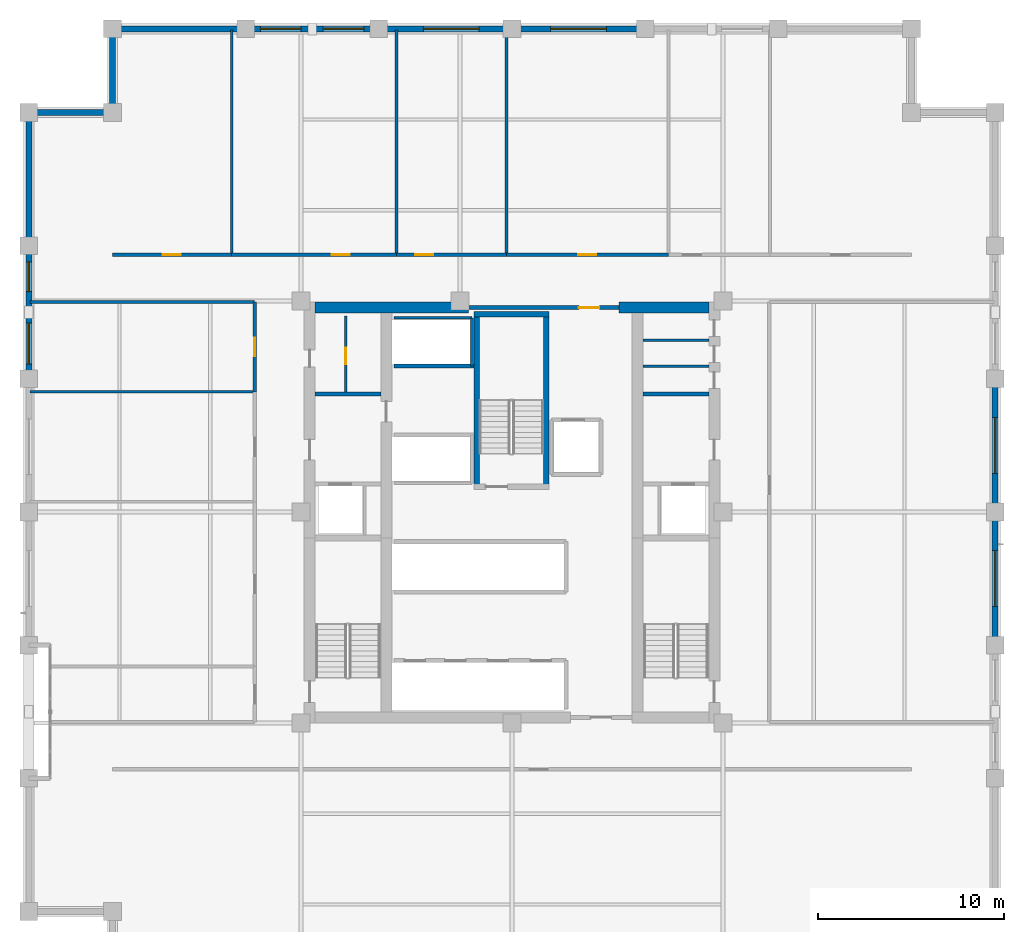
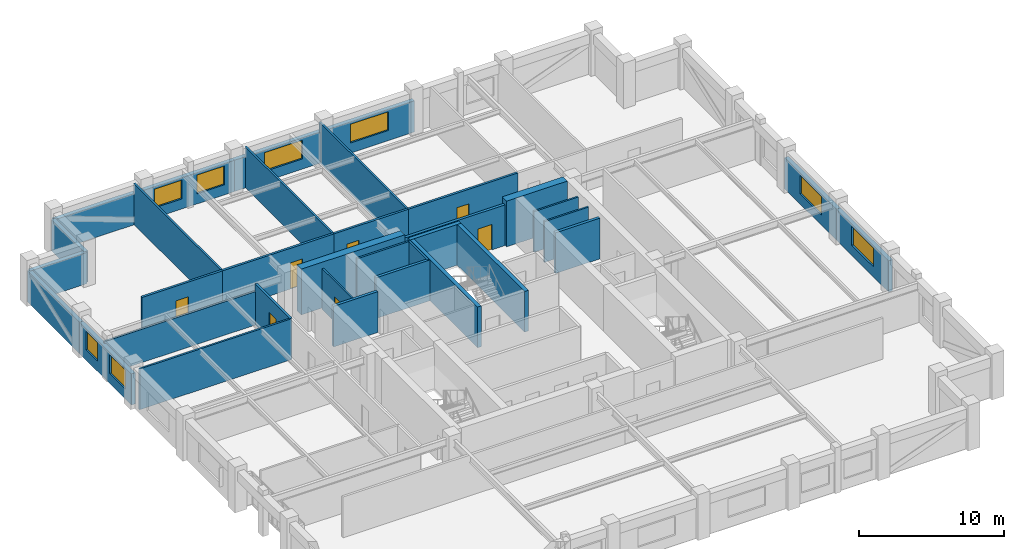
# One storey, part 11 of 14: 34 walls, 8 windows, 7 doors, 15 openings.
"""IFC4 building model written with IfcOpenShell, lengths in metres."""

from ifc_helpers import new_model, si_unit, direction, frame, frame_2d, origin, place, context, subcontext, project, spatial, rectangle, extrude, material, layer, layer_set, type_object, element, fill, save


model = new_model("IFC4")

# Units and contexts
model_context = context("Model", 3, precision=1e-05, world=origin(), true_north=direction((0.0, 1.0)))
body_context = subcontext(model_context, "Body", "Model", "MODEL_VIEW")
ifc_project = project(units=[si_unit("LENGTHUNIT", "METRE"), si_unit("AREAUNIT", "SQUARE_METRE"), si_unit("VOLUMEUNIT", "CUBIC_METRE"), si_unit("PLANEANGLEUNIT", "RADIAN"), si_unit("MASSUNIT", "GRAM", prefix="KILO")], contexts=[model_context])

# Site, building, storey
site_placement = place(None, origin())
site = spatial("IfcSite", under=ifc_project, at=site_placement, CompositionType="ELEMENT")
building_placement = place(site_placement, origin())
building = spatial("IfcBuilding", under=site, at=building_placement, Name="Nhamokura Convention Tower", CompositionType="ELEMENT")
storey_placement = place(building_placement, frame((0.0, 0.0, 172.199951171875)))
storey = spatial("IfcBuildingStorey", under=building, at=storey_placement, Name="L42", CompositionType="ELEMENT", Elevation=172.199951171875)

# Wall, opening, door
ifc_material_1 = material(Name="Moisture-resistant tile-backer partition", Category="masonry")
ifc_layer_1 = layer(ifc_material_1, 0.139892578125)
ifc_layer_set_1 = layer_set([ifc_layer_1], Name="BathroomWetWall_140")
wall_type_1 = type_object("IfcWallType", Name="BathroomWetWall_140", PredefinedType="STANDARD", material=ifc_layer_set_1)
wall_1_placement = place(storey_placement, frame((23.050048828125, 38.449951171875, 0.0), z_axis=(0.0, 0.0, 1.0), x_axis=(0.0, 1.0, 0.0)))
wall_1 = element("IfcWall", 1, at=wall_1_placement, inside=storey, type_object=wall_type_1, Name="L42 Wall INT-L42-CWNWV", PredefinedType="STANDARD", context=body_context, shape_type="SweptSolid", body=[
    extrude(rectangle(XDim=4.10009765625, YDim=0.139892578125, at=frame_2d((2.050048828125, 0.0))), origin(), (0.0, 0.0, 1.0), 3.429931640625),
])
opening_1_placement = place(wall_1_placement, frame((1.5, 0.0, 0.0)))
opening_1 = element("IfcOpeningElement", 2, at=opening_1_placement, cuts=wall_1, Name="Opening D-11", PredefinedType="OPENING", context=body_context, shape_type="SweptSolid", body=[
    extrude(rectangle(XDim=0.8798828125, YDim=2.10009765625, at=frame_2d((0.43994140625, 1.050048828125))), frame((0.0, 0.079833984375, 0.0), z_axis=(0.0, -1.0, 0.0), x_axis=(1.0, 0.0, 0.0)), (0.0, 0.0, 1.0), 0.159912109375),
])
ifc_material_2 = material(Name="Solid oak hardwood", Category="wood")
door_type_1 = type_object("IfcDoorType", Name="BathroomDoor_880", OperationType="NOTDEFINED", PredefinedType="DOOR", material=ifc_material_2)
door_1_placement = place(opening_1_placement, origin())
door_1 = element("IfcDoor", 3, at=door_1_placement, inside=storey, type_object=door_type_1, Name="L42 Inner Store Door", OperationType="SINGLE_SWING_LEFT", OverallHeight=2.10009765625, OverallWidth=0.8798828125, PredefinedType="DOOR", context=body_context, shape_type="SweptSolid", body=[
    extrude(rectangle(XDim=0.8798828125, YDim=2.10009765625, at=frame_2d((0.43994140625, 1.050048828125))), frame((0.0, 0.02490234375, 0.0), z_axis=(0.0, -1.0, 0.0), x_axis=(1.0, 0.0, 0.0)), (0.0, 0.0, 1.0), 0.050048828125),
])
fill(opening_1, door_1)

# Walls
for number, where, z_axis, x_axis, name in (
    (4, (39.06005859375, 39.85009765625, 0.0), (0.0, 0.0, 1.0), (1.0, 0.0, 0.0), "L42 Wall INT-L42-CWNE1"),
    (5, (39.06005859375, 41.25, 0.0), (0.0, 0.0, 1.0), (1.0, 0.0, 0.0), "L42 Wall INT-L42-CWNE2"),
):
    element("IfcWall", number, at=place(storey_placement, frame(where, z_axis=z_axis, x_axis=x_axis)), inside=storey, type_object=wall_type_1, Name=name, PredefinedType="STANDARD", context=body_context, shape_type="SweptSolid", body=[
        extrude(rectangle(XDim=3.530029296875, YDim=0.139892578125, at=frame_2d((1.76513671875, 0.0))), origin(), (0.0, 0.0, 1.0), 3.429931640625),
    ])
ifc_material_3 = material(Name="Bronze-pigmented precast concrete C45/55", Category="concrete")
ifc_layer_2 = layer(ifc_material_3, 0.320068359375)
ifc_layer_set_2 = layer_set([ifc_layer_2], Name="BronzePrecastSpandrel_320")
wall_type_2 = type_object("IfcWallType", Name="BronzePrecastSpandrel_320", PredefinedType="USERDEFINED", material=ifc_layer_set_2)
wall_2_placement = place(storey_placement, frame((10.5, 58.0, 0.0), z_axis=(0.0, 0.0, 1.0), x_axis=(1.0, 0.0, 0.0)))
element("IfcWall", 6, at=wall_2_placement, inside=storey, type_object=wall_type_2, Name="L42 Braced-Bay Precast Wall NORTH 0", ObjectType="SPANDREL_WALL", PredefinedType="USERDEFINED", context=body_context, shape_type="SweptSolid", body=[
    extrude(rectangle(XDim=7.166748046875, YDim=0.320068359375, at=frame_2d((3.58349609375, 0.0))), origin(), (0.0, 0.0, 1.0), 2.630126953125),
])

# Wall, openings, windows
wall_3_placement = place(storey_placement, frame((17.666748046875, 58.0, 0.0), z_axis=(0.0, 0.0, 1.0), x_axis=(1.0, 0.0, 0.0)))
wall_3 = element("IfcWall", 7, at=wall_3_placement, inside=storey, type_object=wall_type_2, Name="L42 Masonry-Frame Wall NORTH 1", ObjectType="SPANDREL_WALL", PredefinedType="USERDEFINED", context=body_context, shape_type="SweptSolid", body=[
    extrude(rectangle(XDim=7.16650390625, YDim=0.320068359375, at=frame_2d((3.583251953125, 0.0))), origin(), (0.0, 0.0, 1.0), 2.630126953125),
])
opening_2_placement = place(wall_3_placement, frame((0.791748046875, 0.0, 0.85009765625)))
opening_2 = element("IfcOpeningElement", 8, at=opening_2_placement, cuts=wall_3, Name="Opening W-06", PredefinedType="OPENING", context=body_context, shape_type="SweptSolid", body=[
    extrude(rectangle(XDim=2.199951171875, YDim=1.580078125, at=frame_2d((1.10009765625, 0.7900390625))), frame((0.0, 0.169921875, 0.0), z_axis=(0.0, -1.0, 0.0), x_axis=(1.0, 0.0, 0.0)), (0.0, 0.0, 1.0), 0.340087890625),
])
opening_3_placement = place(wall_3_placement, frame((4.175048828125, 0.0, 0.85009765625)))
opening_3 = element("IfcOpeningElement", 9, at=opening_3_placement, cuts=wall_3, Name="Opening W-06", PredefinedType="OPENING", context=body_context, shape_type="SweptSolid", body=[
    extrude(rectangle(XDim=2.199951171875, YDim=1.580078125, at=frame_2d((1.10009765625, 0.7900390625))), frame((0.0, 0.169921875, 0.0), z_axis=(0.0, -1.0, 0.0), x_axis=(1.0, 0.0, 0.0)), (0.0, 0.0, 1.0), 0.340087890625),
])
ifc_material_4 = material(Name="Solar-control bronze low-E double glass", Category="glass")
window_type_1 = type_object("IfcWindowType", Name="OfficeModuleWindow_Z2_2200", PartitioningType="SINGLE_PANEL", PredefinedType="WINDOW", material=ifc_material_4)
window_1_placement = place(opening_2_placement, origin())
window_1 = element("IfcWindow", 10, at=window_1_placement, inside=storey, type_object=window_type_1, Name="L42 Facade Window NORTH 1-1", OverallHeight=1.580078125, OverallWidth=2.199951171875, PartitioningType="SINGLE_PANEL", PredefinedType="WINDOW", context=body_context, shape_type="SweptSolid", body=[
    extrude(rectangle(XDim=2.199951171875, YDim=1.580078125, at=frame_2d((1.10009765625, 0.7900390625))), frame((0.0, 0.030029296875, 0.0), z_axis=(0.0, -1.0, 0.0), x_axis=(1.0, 0.0, 0.0)), (0.0, 0.0, 1.0), 0.06005859375),
])
fill(opening_2, window_1)
window_2_placement = place(opening_3_placement, origin())
window_2 = element("IfcWindow", 11, at=window_2_placement, inside=storey, type_object=window_type_1, Name="L42 Facade Window NORTH 1-2", OverallHeight=1.580078125, OverallWidth=2.199951171875, PartitioningType="SINGLE_PANEL", PredefinedType="WINDOW", context=body_context, shape_type="SweptSolid", body=[
    extrude(rectangle(XDim=2.199951171875, YDim=1.580078125, at=frame_2d((1.10009765625, 0.7900390625))), frame((0.0, 0.030029296875, 0.0), z_axis=(0.0, -1.0, 0.0), x_axis=(1.0, 0.0, 0.0)), (0.0, 0.0, 1.0), 0.06005859375),
])
fill(opening_3, window_2)

# Wall, opening, window
wall_4_placement = place(storey_placement, frame((24.833251953125, 58.0, 0.0), z_axis=(0.0, 0.0, 1.0), x_axis=(1.0, 0.0, 0.0)))
wall_4 = element("IfcWall", 12, at=wall_4_placement, inside=storey, type_object=wall_type_2, Name="L42 Masonry-Frame Wall NORTH 2", ObjectType="SPANDREL_WALL", PredefinedType="USERDEFINED", context=body_context, shape_type="SweptSolid", body=[
    extrude(rectangle(XDim=7.166748046875, YDim=0.320068359375, at=frame_2d((3.58349609375, 0.0))), origin(), (0.0, 0.0, 1.0), 2.630126953125),
])
opening_4_placement = place(wall_4_placement, frame((2.395751953125, 0.0, 0.85009765625)))
opening_4 = element("IfcOpeningElement", 13, at=opening_4_placement, cuts=wall_4, Name="Opening W-05", PredefinedType="OPENING", context=body_context, shape_type="SweptSolid", body=[
    extrude(rectangle(XDim=3.0, YDim=1.580078125, at=frame_2d((1.5, 0.7900390625))), frame((0.0, 0.169921875, 0.0), z_axis=(0.0, -1.0, 0.0), x_axis=(1.0, 0.0, 0.0)), (0.0, 0.0, 1.0), 0.340087890625),
])
ifc_material_5 = material(Name="Solar-control bronze low-E double glass", Category="glass")
window_type_2 = type_object("IfcWindowType", Name="OfficeModuleWindow_Z2_3000", PartitioningType="DOUBLE_PANEL_VERTICAL", PredefinedType="WINDOW", material=ifc_material_5)
window_3_placement = place(opening_4_placement, origin())
window_3 = element("IfcWindow", 14, at=window_3_placement, inside=storey, type_object=window_type_2, Name="L42 Facade Window NORTH 2", OverallHeight=1.580078125, OverallWidth=3.0, PartitioningType="SINGLE_PANEL", PredefinedType="WINDOW", context=body_context, shape_type="SweptSolid", body=[
    extrude(rectangle(XDim=3.0, YDim=1.580078125, at=frame_2d((1.5, 0.7900390625))), frame((0.0, 0.030029296875, 0.0), z_axis=(0.0, -1.0, 0.0), x_axis=(1.0, 0.0, 0.0)), (0.0, 0.0, 1.0), 0.06005859375),
])
fill(opening_4, window_3)

wall_5_placement = place(storey_placement, frame((32.0, 58.0, 0.0), z_axis=(0.0, 0.0, 1.0), x_axis=(1.0, 0.0, 0.0)))
wall_5 = element("IfcWall", 15, at=wall_5_placement, inside=storey, type_object=wall_type_2, Name="L42 Masonry-Frame Wall NORTH 3", ObjectType="SPANDREL_WALL", PredefinedType="USERDEFINED", context=body_context, shape_type="SweptSolid", body=[
    extrude(rectangle(XDim=7.166748046875, YDim=0.320068359375, at=frame_2d((3.58349609375, 0.0))), origin(), (0.0, 0.0, 1.0), 2.630126953125),
])
opening_5_placement = place(wall_5_placement, frame((2.083251953125, 0.0, 0.85009765625)))
opening_5 = element("IfcOpeningElement", 16, at=opening_5_placement, cuts=wall_5, Name="Opening W-05", PredefinedType="OPENING", context=body_context, shape_type="SweptSolid", body=[
    extrude(rectangle(XDim=3.0, YDim=1.580078125, at=frame_2d((1.5, 0.7900390625))), frame((0.0, 0.169921875, 0.0), z_axis=(0.0, -1.0, 0.0), x_axis=(1.0, 0.0, 0.0)), (0.0, 0.0, 1.0), 0.340087890625),
])
window_4_placement = place(opening_5_placement, origin())
window_4 = element("IfcWindow", 17, at=window_4_placement, inside=storey, type_object=window_type_2, Name="L42 Facade Window NORTH 3", OverallHeight=1.580078125, OverallWidth=3.0, PartitioningType="SINGLE_PANEL", PredefinedType="WINDOW", context=body_context, shape_type="SweptSolid", body=[
    extrude(rectangle(XDim=3.0, YDim=1.580078125, at=frame_2d((1.5, 0.7900390625))), frame((0.0, 0.030029296875, 0.0), z_axis=(0.0, -1.0, 0.0), x_axis=(1.0, 0.0, 0.0)), (0.0, 0.0, 1.0), 0.06005859375),
])
fill(opening_5, window_4)

# Wall, openings, windows
wall_6_placement = place(storey_placement, frame((6.0, 39.166748046875, 0.0), z_axis=(0.0, 0.0, 1.0), x_axis=(0.0, 1.0, 0.0)))
wall_6 = element("IfcWall", 18, at=wall_6_placement, inside=storey, type_object=wall_type_2, Name="L42 Masonry-Frame Wall WEST 4", ObjectType="SPANDREL_WALL", PredefinedType="USERDEFINED", context=body_context, shape_type="SweptSolid", body=[
    extrude(rectangle(XDim=7.16650390625, YDim=0.320068359375, at=frame_2d((3.583251953125, 0.0))), origin(), (0.0, 0.0, 1.0), 2.630126953125),
])
opening_6_placement = place(wall_6_placement, frame((0.791748046875, 0.0, 0.85009765625)))
opening_6 = element("IfcOpeningElement", 19, at=opening_6_placement, cuts=wall_6, Name="Opening W-06", PredefinedType="OPENING", context=body_context, shape_type="SweptSolid", body=[
    extrude(rectangle(XDim=2.199951171875, YDim=1.580078125, at=frame_2d((1.10009765625, 0.7900390625))), frame((0.0, 0.169921875, 0.0), z_axis=(0.0, -1.0, 0.0), x_axis=(1.0, 0.0, 0.0)), (0.0, 0.0, 1.0), 0.340087890625),
])
opening_7_placement = place(wall_6_placement, frame((4.6875, 0.0, 0.85009765625)))
opening_7 = element("IfcOpeningElement", 20, at=opening_7_placement, cuts=wall_6, Name="Opening W-11", PredefinedType="OPENING", context=body_context, shape_type="SweptSolid", body=[
    extrude(rectangle(XDim=1.60009765625, YDim=1.580078125, at=frame_2d((0.800048828125, 0.7900390625))), frame((0.0, 0.169921875, 0.0), z_axis=(0.0, -1.0, 0.0), x_axis=(1.0, 0.0, 0.0)), (0.0, 0.0, 1.0), 0.340087890625),
])
ifc_material_6 = material(Name="Solar-control bronze low-E double glass", Category="glass")
window_type_3 = type_object("IfcWindowType", Name="NotchCornerWindow_1600", PartitioningType="SINGLE_PANEL", PredefinedType="WINDOW", material=ifc_material_6)
window_5_placement = place(opening_7_placement, origin())
window_5 = element("IfcWindow", 21, at=window_5_placement, inside=storey, type_object=window_type_3, Name="L42 Facade Window WEST 4-2", OverallHeight=1.580078125, OverallWidth=1.60009765625, PartitioningType="SINGLE_PANEL", PredefinedType="WINDOW", context=body_context, shape_type="SweptSolid", body=[
    extrude(rectangle(XDim=1.60009765625, YDim=1.580078125, at=frame_2d((0.800048828125, 0.7900390625))), frame((0.0, 0.030029296875, 0.0), z_axis=(0.0, -1.0, 0.0), x_axis=(1.0, 0.0, 0.0)), (0.0, 0.0, 1.0), 0.06005859375),
])
fill(opening_7, window_5)
window_6_placement = place(opening_6_placement, origin())
window_6 = element("IfcWindow", 22, at=window_6_placement, inside=storey, type_object=window_type_1, Name="L42 Facade Window WEST 4-1", OverallHeight=1.580078125, OverallWidth=2.199951171875, PartitioningType="SINGLE_PANEL", PredefinedType="WINDOW", context=body_context, shape_type="SweptSolid", body=[
    extrude(rectangle(XDim=2.199951171875, YDim=1.580078125, at=frame_2d((1.10009765625, 0.7900390625))), frame((0.0, 0.030029296875, 0.0), z_axis=(0.0, -1.0, 0.0), x_axis=(1.0, 0.0, 0.0)), (0.0, 0.0, 1.0), 0.06005859375),
])
fill(opening_6, window_6)

# Wall
wall_7_placement = place(storey_placement, frame((6.0, 46.333251953125, 0.0), z_axis=(0.0, 0.0, 1.0), x_axis=(0.0, 1.0, 0.0)))
element("IfcWall", 23, at=wall_7_placement, inside=storey, type_object=wall_type_2, Name="L42 Braced-Bay Precast Wall WEST 5", ObjectType="SPANDREL_WALL", PredefinedType="USERDEFINED", context=body_context, shape_type="SweptSolid", body=[
    extrude(rectangle(XDim=7.166748046875, YDim=0.320068359375, at=frame_2d((3.58349609375, 0.0))), origin(), (0.0, 0.0, 1.0), 2.630126953125),
])

# Wall, opening, window
wall_8_placement = place(storey_placement, frame((58.0, 32.0, 0.0), z_axis=(0.0, 0.0, 1.0), x_axis=(0.0, -1.0, 0.0)))
wall_8 = element("IfcWall", 24, at=wall_8_placement, inside=storey, type_object=wall_type_2, Name="L42 Masonry-Frame Wall EAST 2", ObjectType="SPANDREL_WALL", PredefinedType="USERDEFINED", context=body_context, shape_type="SweptSolid", body=[
    extrude(rectangle(XDim=7.166748046875, YDim=0.320068359375, at=frame_2d((3.58349609375, 0.0))), origin(), (0.0, 0.0, 1.0), 2.630126953125),
])
opening_8_placement = place(wall_8_placement, frame((2.083251953125, 0.0, 0.85009765625)))
opening_8 = element("IfcOpeningElement", 25, at=opening_8_placement, cuts=wall_8, Name="Opening W-05", PredefinedType="OPENING", context=body_context, shape_type="SweptSolid", body=[
    extrude(rectangle(XDim=3.0, YDim=1.580078125, at=frame_2d((1.5, 0.7900390625))), frame((0.0, 0.169921875, 0.0), z_axis=(0.0, -1.0, 0.0), x_axis=(1.0, 0.0, 0.0)), (0.0, 0.0, 1.0), 0.340087890625),
])
window_7_placement = place(opening_8_placement, origin())
window_7 = element("IfcWindow", 26, at=window_7_placement, inside=storey, type_object=window_type_2, Name="L42 Facade Window EAST 2", OverallHeight=1.580078125, OverallWidth=3.0, PartitioningType="SINGLE_PANEL", PredefinedType="WINDOW", context=body_context, shape_type="SweptSolid", body=[
    extrude(rectangle(XDim=3.0, YDim=1.580078125, at=frame_2d((1.5, 0.7900390625))), frame((0.0, 0.030029296875, 0.0), z_axis=(0.0, -1.0, 0.0), x_axis=(1.0, 0.0, 0.0)), (0.0, 0.0, 1.0), 0.06005859375),
])
fill(opening_8, window_7)

wall_9_placement = place(storey_placement, frame((58.0, 39.166748046875, 0.0), z_axis=(0.0, 0.0, 1.0), x_axis=(0.0, -1.0, 0.0)))
wall_9 = element("IfcWall", 27, at=wall_9_placement, inside=storey, type_object=wall_type_2, Name="L42 Masonry-Frame Wall EAST 3", ObjectType="SPANDREL_WALL", PredefinedType="USERDEFINED", context=body_context, shape_type="SweptSolid", body=[
    extrude(rectangle(XDim=7.166748046875, YDim=0.320068359375, at=frame_2d((3.58349609375, 0.0))), origin(), (0.0, 0.0, 1.0), 2.630126953125),
])
opening_9_placement = place(wall_9_placement, frame((2.083251953125, 0.0, 0.85009765625)))
opening_9 = element("IfcOpeningElement", 28, at=opening_9_placement, cuts=wall_9, Name="Opening W-05", PredefinedType="OPENING", context=body_context, shape_type="SweptSolid", body=[
    extrude(rectangle(XDim=3.0, YDim=1.580078125, at=frame_2d((1.5, 0.7900390625))), frame((0.0, 0.169921875, 0.0), z_axis=(0.0, -1.0, 0.0), x_axis=(1.0, 0.0, 0.0)), (0.0, 0.0, 1.0), 0.340087890625),
])
window_8_placement = place(opening_9_placement, origin())
window_8 = element("IfcWindow", 29, at=window_8_placement, inside=storey, type_object=window_type_2, Name="L42 Facade Window EAST 3", OverallHeight=1.580078125, OverallWidth=3.0, PartitioningType="SINGLE_PANEL", PredefinedType="WINDOW", context=body_context, shape_type="SweptSolid", body=[
    extrude(rectangle(XDim=3.0, YDim=1.580078125, at=frame_2d((1.5, 0.7900390625))), frame((0.0, 0.030029296875, 0.0), z_axis=(0.0, -1.0, 0.0), x_axis=(1.0, 0.0, 0.0)), (0.0, 0.0, 1.0), 0.06005859375),
])
fill(opening_9, window_8)

# Walls
for number, where, z_axis, x_axis, name in (
    (30, (10.5, 53.5, 0.0), (0.0, 0.0, 1.0), (0.0, 1.0, 0.0), "L42 Notched Corner Wall NW1"),
    (31, (6.0, 53.5, 0.0), (0.0, 0.0, 1.0), (1.0, 0.0, 0.0), "L42 Notched Corner Wall NW2"),
):
    element("IfcWall", number, at=place(storey_placement, frame(where, z_axis=z_axis, x_axis=x_axis)), inside=storey, type_object=wall_type_2, Name=name, ObjectType="SPANDREL_WALL", PredefinedType="USERDEFINED", context=body_context, shape_type="SweptSolid", body=[
        extrude(rectangle(XDim=4.5, YDim=0.320068359375, at=frame_2d((2.25, 0.0))), origin(), (0.0, 0.0, 1.0), 2.630126953125),
    ])
ifc_material_7 = material(Name="Concrete C60/75", Category="concrete")
ifc_layer_3 = layer(ifc_material_7, 0.60009765625)
ifc_layer_set_3 = layer_set([ifc_layer_3], Name="CoreShearWall_600")
wall_type_3 = type_object("IfcWallType", Name="CoreShearWall_600", PredefinedType="SHEAR", material=ifc_layer_set_3)
wall_10_placement = place(storey_placement, frame((21.409912109375, 43.0, 0.0), z_axis=(0.0, 0.0, 1.0), x_axis=(1.0, 0.0, 0.0)))
element("IfcWall", 32, at=wall_10_placement, inside=storey, type_object=wall_type_3, Name="L42 Core Shear Wall CW-N1", PredefinedType="SHEAR", context=body_context, shape_type="SweptSolid", body=[
    extrude(rectangle(XDim=8.239990234375, YDim=0.60009765625, at=frame_2d((4.1201171875, 0.0))), origin(), (0.0, 0.0, 1.0), 3.85009765625),
])
wall_11_placement = place(storey_placement, frame((37.75, 43.0, 0.0), z_axis=(0.0, 0.0, 1.0), x_axis=(1.0, 0.0, 0.0)))
element("IfcWall", 33, at=wall_11_placement, inside=storey, type_object=wall_type_3, Name="L42 Core Shear Wall CW-N2", PredefinedType="SHEAR", context=body_context, shape_type="SweptSolid", body=[
    extrude(rectangle(XDim=4.840087890625, YDim=0.60009765625, at=frame_2d((2.419921875, 0.0))), origin(), (0.0, 0.0, 1.0), 3.85009765625),
])

# Wall, opening, door
ifc_material_8 = material(Name="Fire-rated gypsum and masonry partition", Category="masonry")
ifc_layer_4 = layer(ifc_material_8, 0.179931640625)
ifc_layer_set_4 = layer_set([ifc_layer_4], Name="CorridorRatedWall_180")
wall_type_4 = type_object("IfcWallType", Name="CorridorRatedWall_180", PredefinedType="STANDARD", material=ifc_layer_set_4)
wall_12_placement = place(storey_placement, frame((10.5, 45.85009765625, 0.0), z_axis=(0.0, 0.0, 1.0), x_axis=(1.0, 0.0, 0.0)))
wall_12 = element("IfcWall", 34, at=wall_12_placement, inside=storey, type_object=wall_type_4, Name="L42 Wall INT-L42-CW-N00", PredefinedType="STANDARD", context=body_context, shape_type="SweptSolid", body=[
    extrude(rectangle(XDim=6.416748046875, YDim=0.179931640625, at=frame_2d((3.20849609375, 0.0))), origin(), (0.0, 0.0, 1.0), 3.429931640625),
])
opening_10_placement = place(wall_12_placement, frame((2.708251953125, 0.0, 0.0)))
opening_10 = element("IfcOpeningElement", 35, at=opening_10_placement, cuts=wall_12, Name="Opening D-08", PredefinedType="OPENING", context=body_context, shape_type="SweptSolid", body=[
    extrude(rectangle(XDim=0.97998046875, YDim=2.199951171875, at=frame_2d((0.489990234375, 1.10009765625))), frame((0.0, 0.099853515625, 0.0), z_axis=(0.0, -1.0, 0.0), x_axis=(1.0, 0.0, 0.0)), (0.0, 0.0, 1.0), 0.199951171875),
])
ifc_material_9 = material(Name="Solid oak hardwood", Category="wood")
door_type_2 = type_object("IfcDoorType", Name="OfficeEntryDoor_980", OperationType="NOTDEFINED", PredefinedType="DOOR", material=ifc_material_9)
door_2_placement = place(opening_10_placement, origin())
door_2 = element("IfcDoor", 36, at=door_2_placement, inside=storey, type_object=door_type_2, Name="L42 Meeting Room N01 Door", OperationType="SINGLE_SWING_LEFT", OverallHeight=2.199951171875, OverallWidth=0.97998046875, PredefinedType="DOOR", context=body_context, shape_type="SweptSolid", body=[
    extrude(rectangle(XDim=0.97998046875, YDim=2.199951171875, at=frame_2d((0.489990234375, 1.10009765625))), frame((0.0, 0.02490234375, 0.0), z_axis=(0.0, -1.0, 0.0), x_axis=(1.0, 0.0, 0.0)), (0.0, 0.0, 1.0), 0.050048828125),
])
fill(opening_10, door_2)

wall_13_placement = place(storey_placement, frame((16.916748046875, 45.85009765625, 0.0), z_axis=(0.0, 0.0, 1.0), x_axis=(1.0, 0.0, 0.0)))
wall_13 = element("IfcWall", 37, at=wall_13_placement, inside=storey, type_object=wall_type_4, Name="L42 Wall INT-L42-CW-N01", PredefinedType="STANDARD", context=body_context, shape_type="SweptSolid", body=[
    extrude(rectangle(XDim=8.866455078125, YDim=0.179931640625, at=frame_2d((4.43310546875, 0.0))), origin(), (0.0, 0.0, 1.0), 3.429931640625),
])
opening_11_placement = place(wall_13_placement, frame((5.38330078125, 0.0, 0.0)))
opening_11 = element("IfcOpeningElement", 38, at=opening_11_placement, cuts=wall_13, Name="Opening D-08", PredefinedType="OPENING", context=body_context, shape_type="SweptSolid", body=[
    extrude(rectangle(XDim=0.97998046875, YDim=2.199951171875, at=frame_2d((0.489990234375, 1.10009765625))), frame((0.0, 0.099853515625, 0.0), z_axis=(0.0, -1.0, 0.0), x_axis=(1.0, 0.0, 0.0)), (0.0, 0.0, 1.0), 0.199951171875),
])
door_3_placement = place(opening_11_placement, origin())
door_3 = element("IfcDoor", 39, at=door_3_placement, inside=storey, type_object=door_type_2, Name="L42 Meeting Room N02 Door", OperationType="SINGLE_SWING_RIGHT", OverallHeight=2.199951171875, OverallWidth=0.97998046875, PredefinedType="DOOR", context=body_context, shape_type="SweptSolid", body=[
    extrude(rectangle(XDim=0.97998046875, YDim=2.199951171875, at=frame_2d((0.489990234375, 1.10009765625))), frame((0.0, 0.02490234375, 0.0), z_axis=(0.0, -1.0, 0.0), x_axis=(1.0, 0.0, 0.0)), (0.0, 0.0, 1.0), 0.050048828125),
])
fill(opening_11, door_3)

wall_14_placement = place(storey_placement, frame((25.783203125, 45.85009765625, 0.0), z_axis=(0.0, 0.0, 1.0), x_axis=(1.0, 0.0, 0.0)))
wall_14 = element("IfcWall", 40, at=wall_14_placement, inside=storey, type_object=wall_type_4, Name="L42 Wall INT-L42-CW-N02", PredefinedType="STANDARD", context=body_context, shape_type="SweptSolid", body=[
    extrude(rectangle(XDim=5.916748046875, YDim=0.179931640625, at=frame_2d((2.95849609375, 0.0))), origin(), (0.0, 0.0, 1.0), 3.429931640625),
])
opening_12_placement = place(wall_14_placement, frame((1.00830078125, 0.0, 0.0)))
opening_12 = element("IfcOpeningElement", 41, at=opening_12_placement, cuts=wall_14, Name="Opening D-08", PredefinedType="OPENING", context=body_context, shape_type="SweptSolid", body=[
    extrude(rectangle(XDim=0.97998046875, YDim=2.199951171875, at=frame_2d((0.489990234375, 1.10009765625))), frame((0.0, 0.099853515625, 0.0), z_axis=(0.0, -1.0, 0.0), x_axis=(1.0, 0.0, 0.0)), (0.0, 0.0, 1.0), 0.199951171875),
])
door_4_placement = place(opening_12_placement, origin())
door_4 = element("IfcDoor", 42, at=door_4_placement, inside=storey, type_object=door_type_2, Name="L42 Meeting Room N03 Door", OperationType="SINGLE_SWING_LEFT", OverallHeight=2.199951171875, OverallWidth=0.97998046875, PredefinedType="DOOR", context=body_context, shape_type="SweptSolid", body=[
    extrude(rectangle(XDim=0.97998046875, YDim=2.199951171875, at=frame_2d((0.489990234375, 1.10009765625))), frame((0.0, 0.02490234375, 0.0), z_axis=(0.0, -1.0, 0.0), x_axis=(1.0, 0.0, 0.0)), (0.0, 0.0, 1.0), 0.050048828125),
])
fill(opening_12, door_4)

wall_15_placement = place(storey_placement, frame((31.699951171875, 45.85009765625, 0.0), z_axis=(0.0, 0.0, 1.0), x_axis=(1.0, 0.0, 0.0)))
wall_15 = element("IfcWall", 43, at=wall_15_placement, inside=storey, type_object=wall_type_4, Name="L42 Wall INT-L42-CW-N03", PredefinedType="STANDARD", context=body_context, shape_type="SweptSolid", body=[
    extrude(rectangle(XDim=8.716796875, YDim=0.179931640625, at=frame_2d((4.3583984375, 0.0))), origin(), (0.0, 0.0, 1.0), 3.429931640625),
])
opening_13_placement = place(wall_15_placement, frame((3.8583984375, 0.0, 0.0)))
opening_13 = element("IfcOpeningElement", 44, at=opening_13_placement, cuts=wall_15, Name="Opening D-08", PredefinedType="OPENING", context=body_context, shape_type="SweptSolid", body=[
    extrude(rectangle(XDim=0.97998046875, YDim=2.199951171875, at=frame_2d((0.489990234375, 1.10009765625))), frame((0.0, 0.099853515625, 0.0), z_axis=(0.0, -1.0, 0.0), x_axis=(1.0, 0.0, 0.0)), (0.0, 0.0, 1.0), 0.199951171875),
])
door_5_placement = place(opening_13_placement, origin())
door_5 = element("IfcDoor", 45, at=door_5_placement, inside=storey, type_object=door_type_2, Name="L42 Meeting Room N04 Door", OperationType="SINGLE_SWING_RIGHT", OverallHeight=2.199951171875, OverallWidth=0.97998046875, PredefinedType="DOOR", context=body_context, shape_type="SweptSolid", body=[
    extrude(rectangle(XDim=0.97998046875, YDim=2.199951171875, at=frame_2d((0.489990234375, 1.10009765625))), frame((0.0, 0.02490234375, 0.0), z_axis=(0.0, -1.0, 0.0), x_axis=(1.0, 0.0, 0.0)), (0.0, 0.0, 1.0), 0.050048828125),
])
fill(opening_13, door_5)

wall_16_placement = place(storey_placement, frame((18.14990234375, 38.466796875, 0.0), z_axis=(0.0, 0.0, 1.0), x_axis=(0.0, 1.0, 0.0)))
wall_16 = element("IfcWall", 46, at=wall_16_placement, inside=storey, type_object=wall_type_4, Name="L42 Wall INT-L42-CW-W03", PredefinedType="STANDARD", context=body_context, shape_type="SweptSolid", body=[
    extrude(rectangle(XDim=4.833251953125, YDim=0.179931640625, at=frame_2d((2.41650390625, 0.0))), origin(), (0.0, 0.0, 1.0), 3.429931640625),
])
opening_14_placement = place(wall_16_placement, frame((1.91650390625, 0.0, 0.0)))
opening_14 = element("IfcOpeningElement", 47, at=opening_14_placement, cuts=wall_16, Name="Opening D-08", PredefinedType="OPENING", context=body_context, shape_type="SweptSolid", body=[
    extrude(rectangle(XDim=0.97998046875, YDim=2.199951171875, at=frame_2d((0.489990234375, 1.10009765625))), frame((0.0, 0.099853515625, 0.0), z_axis=(0.0, -1.0, 0.0), x_axis=(1.0, 0.0, 0.0)), (0.0, 0.0, 1.0), 0.199951171875),
])
door_6_placement = place(opening_14_placement, origin())
door_6 = element("IfcDoor", 48, at=door_6_placement, inside=storey, type_object=door_type_2, Name="L42 Private Office W04 Door", OperationType="SINGLE_SWING_RIGHT", OverallHeight=2.199951171875, OverallWidth=0.97998046875, PredefinedType="DOOR", context=body_context, shape_type="SweptSolid", body=[
    extrude(rectangle(XDim=0.97998046875, YDim=2.199951171875, at=frame_2d((0.489990234375, 1.10009765625))), frame((0.0, 0.02490234375, 0.0), z_axis=(0.0, -1.0, 0.0), x_axis=(1.0, 0.0, 0.0)), (0.0, 0.0, 1.0), 0.050048828125),
])
fill(opening_14, door_6)

# Walls
ifc_material_10 = material(Name="Autoclaved concrete blockwork", Category="masonry")
ifc_layer_5 = layer(ifc_material_10, 0.219970703125)
ifc_layer_set_5 = layer_set([ifc_layer_5], Name="FireLobbyWall_220")
wall_type_5 = type_object("IfcWallType", Name="FireLobbyWall_220", PredefinedType="STANDARD", material=ifc_layer_set_5)
for number, where, z_axis, x_axis, name in (
    (49, (21.409912109375, 38.35009765625, 0.0), (0.0, 0.0, 1.0), (1.0, 0.0, 0.0), "L42 Wall INT-L42-FFW-N"),
    (50, (39.06005859375, 38.35009765625, 0.0), (0.0, 0.0, 1.0), (1.0, 0.0, 0.0), "L42 Wall INT-L42-FFE-N"),
):
    element("IfcWall", number, at=place(storey_placement, frame(where, z_axis=z_axis, x_axis=x_axis)), inside=storey, type_object=wall_type_5, Name=name, PredefinedType="STANDARD", context=body_context, shape_type="SweptSolid", body=[
        extrude(rectangle(XDim=3.530029296875, YDim=0.219970703125, at=frame_2d((1.76513671875, 0.0))), origin(), (0.0, 0.0, 1.0), 3.429931640625),
    ])
wall_17_placement = place(storey_placement, frame((25.64990234375, 39.85009765625, 0.0), z_axis=(0.0, 0.0, 1.0), x_axis=(1.0, 0.0, 0.0)))
element("IfcWall", 51, at=wall_17_placement, inside=storey, type_object=wall_type_5, Name="L42 Wall INT-L42-B3N", PredefinedType="STANDARD", context=body_context, shape_type="SweptSolid", body=[
    extrude(rectangle(XDim=4.300048828125, YDim=0.219970703125, at=frame_2d((2.14990234375, 0.0))), origin(), (0.0, 0.0, 1.0), 3.429931640625),
])

# Wall, opening, door
wall_18_placement = place(storey_placement, frame((29.64990234375, 43.0, 0.0), z_axis=(0.0, 0.0, 1.0), x_axis=(1.0, 0.0, 0.0)))
wall_18 = element("IfcWall", 52, at=wall_18_placement, inside=storey, type_object=wall_type_5, Name="L42 Wall INT-L42-CPORT-N", PredefinedType="STANDARD", context=body_context, shape_type="SweptSolid", body=[
    extrude(rectangle(XDim=8.10009765625, YDim=0.219970703125, at=frame_2d((4.050048828125, 0.0))), origin(), (0.0, 0.0, 1.0), 3.429931640625),
])
opening_15_placement = place(wall_18_placement, frame((5.949951171875, 0.0, 0.0)))
opening_15 = element("IfcOpeningElement", 53, at=opening_15_placement, cuts=wall_18, Name="Opening D-05", PredefinedType="OPENING", context=body_context, shape_type="SweptSolid", body=[
    extrude(rectangle(XDim=1.10009765625, YDim=2.14990234375, at=frame_2d((0.550048828125, 1.074951171875))), frame((0.0, 0.119873046875, 0.0), z_axis=(0.0, -1.0, 0.0), x_axis=(1.0, 0.0, 0.0)), (0.0, 0.0, 1.0), 0.239990234375),
])
ifc_material_11 = material(Name="Fire-rated steel door", Category="steel")
door_type_3 = type_object("IfcDoorType", Name="FireLobbyDoor_1100", OperationType="NOTDEFINED", PredefinedType="DOOR", material=ifc_material_11)
door_7_placement = place(opening_15_placement, origin())
door_7 = element("IfcDoor", 54, at=door_7_placement, inside=storey, type_object=door_type_3, Name="L42 North Core Lobby Portal Door", OperationType="SINGLE_SWING_RIGHT", OverallHeight=2.14990234375, OverallWidth=1.10009765625, PredefinedType="DOOR", context=body_context, shape_type="SweptSolid", body=[
    extrude(rectangle(XDim=1.10009765625, YDim=2.14990234375, at=frame_2d((0.550048828125, 1.074951171875))), frame((0.0, 0.02490234375, 0.0), z_axis=(0.0, -1.0, 0.0), x_axis=(1.0, 0.0, 0.0)), (0.0, 0.0, 1.0), 0.050048828125),
])
fill(opening_15, door_7)

# Walls
ifc_material_12 = material(Name="Acoustic gypsum stud partition", Category="masonry")
ifc_layer_6 = layer(ifc_material_12, 0.14990234375)
ifc_layer_set_6 = layer_set([ifc_layer_6], Name="InteriorPartition_150")
wall_type_6 = type_object("IfcWallType", Name="InteriorPartition_150", PredefinedType="STANDARD", material=ifc_layer_set_6)
wall_19_placement = place(storey_placement, frame((25.64990234375, 42.449951171875, 0.0), z_axis=(0.0, 0.0, 1.0), x_axis=(1.0, 0.0, 0.0)))
element("IfcWall", 55, at=wall_19_placement, inside=storey, type_object=wall_type_6, Name="L42 Wall INT-L42-B3B-N", PredefinedType="STANDARD", context=body_context, shape_type="SweptSolid", body=[
    extrude(rectangle(XDim=4.2001953125, YDim=0.14990234375, at=frame_2d((2.10009765625, 0.0))), origin(), (0.0, 0.0, 1.0), 3.429931640625),
])
wall_20_placement = place(storey_placement, frame((29.85009765625, 39.85009765625, 0.0), z_axis=(0.0, 0.0, 1.0), x_axis=(0.0, 1.0, 0.0)))
element("IfcWall", 56, at=wall_20_placement, inside=storey, type_object=wall_type_6, Name="L42 Wall INT-L42-B3B-E", PredefinedType="STANDARD", context=body_context, shape_type="SweptSolid", body=[
    extrude(rectangle(XDim=2.599853515625, YDim=0.14990234375, at=frame_2d((1.2998046875, 0.0))), origin(), (0.0, 0.0, 1.0), 3.429931640625),
])
for number, where, z_axis, x_axis, name in (
    (57, (16.916748046875, 45.85009765625, 0.0), (0.0, 0.0, 1.0), (0.0, 1.0, 0.0), "L42 Wall INT-L42-RW-N01"),
    (58, (25.783203125, 45.85009765625, 0.0), (0.0, 0.0, 1.0), (0.0, 1.0, 0.0), "L42 Wall INT-L42-RW-N02"),
    (59, (31.699951171875, 45.85009765625, 0.0), (0.0, 0.0, 1.0), (0.0, 1.0, 0.0), "L42 Wall INT-L42-RW-N03"),
):
    element("IfcWall", number, at=place(storey_placement, frame(where, z_axis=z_axis, x_axis=x_axis)), inside=storey, type_object=wall_type_6, Name=name, PredefinedType="STANDARD", context=body_context, shape_type="SweptSolid", body=[
        extrude(rectangle(XDim=12.08984375, YDim=0.14990234375, at=frame_2d((6.044921875, 0.0))), origin(), (0.0, 0.0, 1.0), 3.429931640625),
    ])
wall_21_placement = place(storey_placement, frame((6.06005859375, 43.300048828125, 0.0), z_axis=(0.0, 0.0, 1.0), x_axis=(1.0, 0.0, 0.0)))
element("IfcWall", 60, at=wall_21_placement, inside=storey, type_object=wall_type_6, Name="L42 Wall INT-L42-RWT-W", PredefinedType="STANDARD", context=body_context, shape_type="SweptSolid", body=[
    extrude(rectangle(XDim=12.08984375, YDim=0.14990234375, at=frame_2d((6.044921875, 0.0))), origin(), (0.0, 0.0, 1.0), 2.81005859375),
])
wall_22_placement = place(storey_placement, frame((6.06005859375, 38.466796875, 0.0), z_axis=(0.0, 0.0, 1.0), x_axis=(1.0, 0.0, 0.0)))
element("IfcWall", 61, at=wall_22_placement, inside=storey, type_object=wall_type_6, Name="L42 Wall INT-L42-RW-W03", PredefinedType="STANDARD", context=body_context, shape_type="SweptSolid", body=[
    extrude(rectangle(XDim=12.08984375, YDim=0.14990234375, at=frame_2d((6.044921875, 0.0))), origin(), (0.0, 0.0, 1.0), 3.429931640625),
])
ifc_material_13 = material(Name="Concrete C50/60", Category="concrete")
ifc_layer_7 = layer(ifc_material_13, 0.300048828125)
ifc_layer_set_7 = layer_set([ifc_layer_7], Name="ShaftEnclosureWall_300")
wall_type_7 = type_object("IfcWallType", Name="ShaftEnclosureWall_300", PredefinedType="SHEAR", material=ifc_layer_set_7)
for number, where, z_axis, x_axis, name in (
    (62, (30.10009765625, 33.199951171875, 0.0), (0.0, 0.0, 1.0), (0.0, 1.0, 0.0), "L42 Wall INT-L42-ST03W"),
    (63, (33.85009765625, 33.199951171875, 0.0), (0.0, 0.0, 1.0), (0.0, 1.0, 0.0), "L42 Wall INT-L42-ST03E"),
):
    element("IfcWall", number, at=place(storey_placement, frame(where, z_axis=z_axis, x_axis=x_axis)), inside=storey, type_object=wall_type_7, Name=name, PredefinedType="SHEAR", context=body_context, shape_type="SweptSolid", body=[
        extrude(rectangle(XDim=9.60009765625, YDim=0.300048828125, at=frame_2d((4.800048828125, 0.0))), origin(), (0.0, 0.0, 1.0), 3.429931640625),
    ])
wall_23_placement = place(storey_placement, frame((29.949951171875, 42.64990234375, 0.0), z_axis=(0.0, 0.0, 1.0), x_axis=(1.0, 0.0, 0.0)))
element("IfcWall", 64, at=wall_23_placement, inside=storey, type_object=wall_type_7, Name="L42 Wall INT-L42-ST03N", PredefinedType="SHEAR", context=body_context, shape_type="SweptSolid", body=[
    extrude(rectangle(XDim=4.050048828125, YDim=0.300048828125, at=frame_2d((2.02490234375, 0.0))), origin(), (0.0, 0.0, 1.0), 3.429931640625),
])

save(model, "model.ifc")
